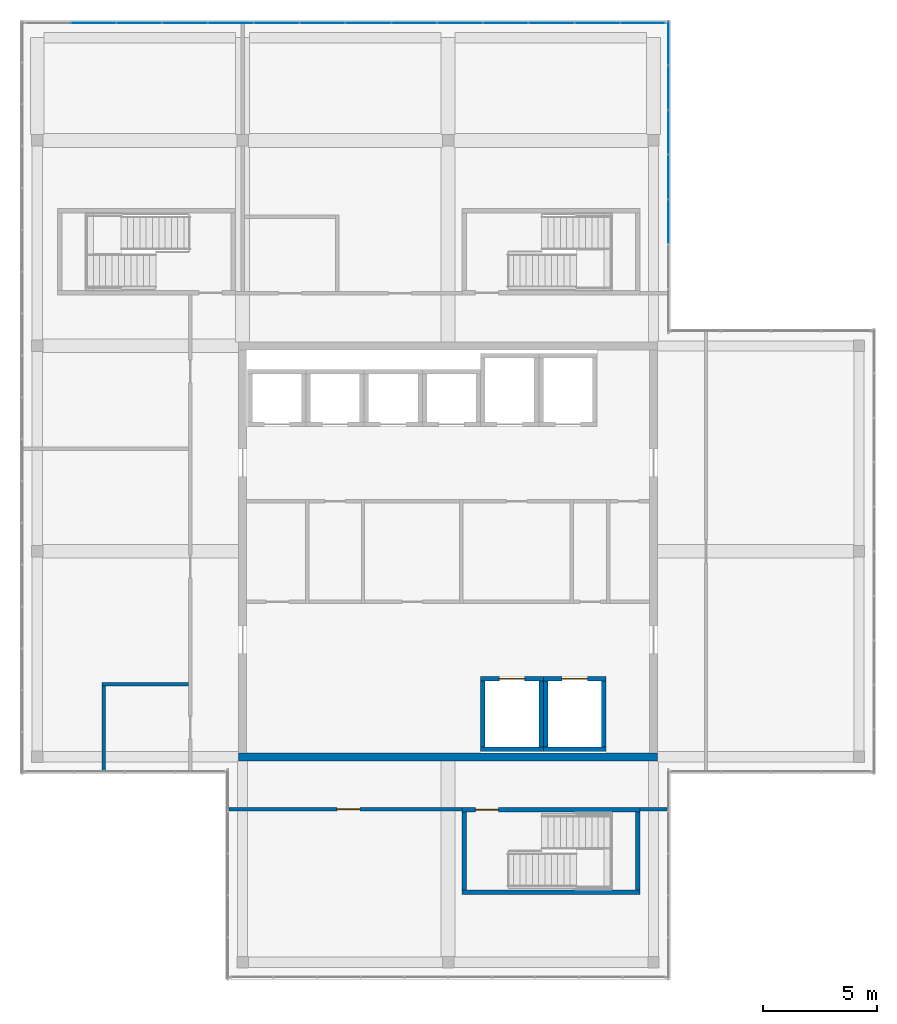
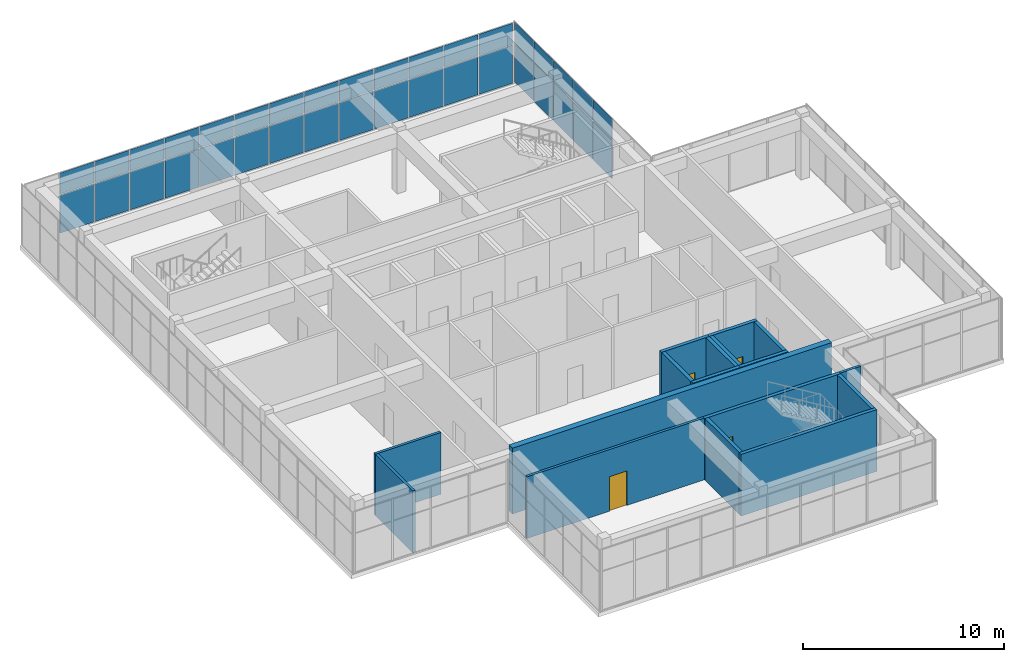
# One storey, part 30 of 34: 36 plates, 17 walls, 4 doors, 4 openings, 2 elements without a shape of their own.
"""IFC4 building model written with IfcOpenShell, lengths in metres."""

from ifc_helpers import new_model, si_unit, direction, frame, frame_2d, origin, origin_2d, place, context, subcontext, project, spatial, rectangle, extrude, material, layer, layer_set, type_object, element, fill, aggregate, save


model = new_model("IFC4")

# Units and contexts
model_context = context("Model", 3, precision=1e-05, world=origin(), true_north=direction((0.0, 1.0)))
body_context = subcontext(model_context, "Body", "Model", "MODEL_VIEW")
ifc_project = project(units=[si_unit("LENGTHUNIT", "METRE"), si_unit("AREAUNIT", "SQUARE_METRE"), si_unit("VOLUMEUNIT", "CUBIC_METRE"), si_unit("PLANEANGLEUNIT", "RADIAN"), si_unit("MASSUNIT", "GRAM", prefix="KILO")], contexts=[model_context])

# Site, building, storey
site_placement = place(None, origin())
site = spatial("IfcSite", under=ifc_project, at=site_placement, CompositionType="ELEMENT")
building_placement = place(site_placement, origin())
building = spatial("IfcBuilding", under=site, at=building_placement, Name="Tuart Plaza Theatre", CompositionType="ELEMENT")
storey_placement = place(building_placement, frame((0.0, 0.0, 57.5)))
storey = spatial("IfcBuildingStorey", under=building, at=storey_placement, Name="L14", CompositionType="ELEMENT", Elevation=57.5)

# Curtain wall, plates
ifc_material_1 = material(Name="Aluminium and glass", Category="aluminium")
ifc_layer_1 = layer(ifc_material_1, 0.10009765625)
ifc_layer_set_1 = layer_set([ifc_layer_1], Name="CURTAIN WALL 2000 module")
curtain_wall_type = type_object("IfcCurtainWallType", Name="CURTAIN WALL 2000 module", PredefinedType="NOTDEFINED", material=ifc_layer_set_1)
curtain_wall_1_placement = place(storey_placement, origin())
curtain_wall_1 = element("IfcCurtainWall", 1, at=curtain_wall_1_placement, inside=storey, type_object=curtain_wall_type, Name="CW116", PredefinedType="NOTDEFINED")
ifc_material_2 = material(Name="Glass", Category="glass")
ifc_layer_2 = layer(ifc_material_2, 0.028076171875)
ifc_layer_set_2 = layer_set([ifc_layer_2], Name="CURTAIN PANEL double glazed 28")
plate_type = type_object("IfcPlateType", Name="CURTAIN PANEL double glazed 28", PredefinedType="CURTAIN_PANEL", material=ifc_layer_set_2)
plate_1_placement = place(storey_placement, frame((141.64990234375, 88.44287109375, 0.0498046875), z_axis=(0.0, 0.0, 1.0), x_axis=(0.0, 1.0, 0.0)))
plate_1 = element("IfcPlate", 2, at=plate_1_placement, type_object=plate_type, Name="CW116 panel 3.1", PredefinedType="CURTAIN_PANEL", context=body_context, shape_type="SweptSolid", body=[
    extrude(rectangle(XDim=1.9072265625, YDim=0.028076171875, at=origin_2d()), origin(), (0.0, 0.0, 1.0), 2.324951171875),
])
plate_2_placement = place(storey_placement, frame((141.64990234375, 88.44287109375, 2.425048828125), z_axis=(0.0, 0.0, 1.0), x_axis=(0.0, 1.0, 0.0)))
plate_2 = element("IfcPlate", 3, at=plate_2_placement, type_object=plate_type, Name="CW116 panel 3.2", PredefinedType="CURTAIN_PANEL", context=body_context, shape_type="SweptSolid", body=[
    extrude(rectangle(XDim=1.9072265625, YDim=0.028076171875, at=origin_2d()), origin(), (0.0, 0.0, 1.0), 1.27490234375),
])
plate_3_placement = place(storey_placement, frame((141.64990234375, 90.39990234375, 0.0498046875), z_axis=(0.0, 0.0, 1.0), x_axis=(0.0, 1.0, 0.0)))
plate_3 = element("IfcPlate", 4, at=plate_3_placement, type_object=plate_type, Name="CW116 panel 4.1", PredefinedType="CURTAIN_PANEL", context=body_context, shape_type="SweptSolid", body=[
    extrude(rectangle(XDim=1.9072265625, YDim=0.028076171875, at=origin_2d()), origin(), (0.0, 0.0, 1.0), 2.324951171875),
])
plate_4_placement = place(storey_placement, frame((141.64990234375, 90.39990234375, 2.425048828125), z_axis=(0.0, 0.0, 1.0), x_axis=(0.0, 1.0, 0.0)))
plate_4 = element("IfcPlate", 5, at=plate_4_placement, type_object=plate_type, Name="CW116 panel 4.2", PredefinedType="CURTAIN_PANEL", context=body_context, shape_type="SweptSolid", body=[
    extrude(rectangle(XDim=1.9072265625, YDim=0.028076171875, at=origin_2d()), origin(), (0.0, 0.0, 1.0), 1.27490234375),
])
plate_5_placement = place(storey_placement, frame((141.64990234375, 92.357177734375, 0.0498046875), z_axis=(0.0, 0.0, 1.0), x_axis=(0.0, 1.0, 0.0)))
plate_5 = element("IfcPlate", 6, at=plate_5_placement, type_object=plate_type, Name="CW116 panel 5.1", PredefinedType="CURTAIN_PANEL", context=body_context, shape_type="SweptSolid", body=[
    extrude(rectangle(XDim=1.9072265625, YDim=0.028076171875, at=origin_2d()), origin(), (0.0, 0.0, 1.0), 2.324951171875),
])
plate_6_placement = place(storey_placement, frame((141.64990234375, 92.357177734375, 2.425048828125), z_axis=(0.0, 0.0, 1.0), x_axis=(0.0, 1.0, 0.0)))
plate_6 = element("IfcPlate", 7, at=plate_6_placement, type_object=plate_type, Name="CW116 panel 5.2", PredefinedType="CURTAIN_PANEL", context=body_context, shape_type="SweptSolid", body=[
    extrude(rectangle(XDim=1.9072265625, YDim=0.028076171875, at=origin_2d()), origin(), (0.0, 0.0, 1.0), 1.27490234375),
])
plate_7_placement = place(storey_placement, frame((141.64990234375, 94.314208984375, 0.0498046875), z_axis=(0.0, 0.0, 1.0), x_axis=(0.0, 1.0, 0.0)))
plate_7 = element("IfcPlate", 8, at=plate_7_placement, type_object=plate_type, Name="CW116 panel 6.1", PredefinedType="CURTAIN_PANEL", context=body_context, shape_type="SweptSolid", body=[
    extrude(rectangle(XDim=1.9072265625, YDim=0.028076171875, at=origin_2d()), origin(), (0.0, 0.0, 1.0), 2.324951171875),
])
plate_8_placement = place(storey_placement, frame((141.64990234375, 94.314208984375, 2.425048828125), z_axis=(0.0, 0.0, 1.0), x_axis=(0.0, 1.0, 0.0)))
plate_8 = element("IfcPlate", 9, at=plate_8_placement, type_object=plate_type, Name="CW116 panel 6.2", PredefinedType="CURTAIN_PANEL", context=body_context, shape_type="SweptSolid", body=[
    extrude(rectangle(XDim=1.9072265625, YDim=0.028076171875, at=origin_2d()), origin(), (0.0, 0.0, 1.0), 1.27490234375),
])
plate_9_placement = place(storey_placement, frame((141.64990234375, 96.259033203125, 0.0498046875), z_axis=(0.0, 0.0, 1.0), x_axis=(0.0, 1.0, 0.0)))
plate_9 = element("IfcPlate", 10, at=plate_9_placement, type_object=plate_type, Name="CW116 panel 7.1", PredefinedType="CURTAIN_PANEL", context=body_context, shape_type="SweptSolid", body=[
    extrude(rectangle(XDim=1.882080078125, YDim=0.028076171875, at=origin_2d()), origin(), (0.0, 0.0, 1.0), 2.324951171875),
])
plate_10_placement = place(storey_placement, frame((141.64990234375, 96.259033203125, 2.425048828125), z_axis=(0.0, 0.0, 1.0), x_axis=(0.0, 1.0, 0.0)))
plate_10 = element("IfcPlate", 11, at=plate_10_placement, type_object=plate_type, Name="CW116 panel 7.2", PredefinedType="CURTAIN_PANEL", context=body_context, shape_type="SweptSolid", body=[
    extrude(rectangle(XDim=1.882080078125, YDim=0.028076171875, at=origin_2d()), origin(), (0.0, 0.0, 1.0), 1.27490234375),
])
aggregate(curtain_wall_1, [plate_1, plate_2, plate_3, plate_4, plate_5, plate_6, plate_7, plate_8, plate_9, plate_10])

curtain_wall_2_placement = place(storey_placement, origin())
curtain_wall_2 = element("IfcCurtainWall", 12, at=curtain_wall_2_placement, inside=storey, type_object=curtain_wall_type, Name="CW117", PredefinedType="NOTDEFINED")
plate_11_placement = place(storey_placement, frame((140.533935546875, 97.14990234375, 0.0498046875), z_axis=(0.0, 0.0, 1.0), x_axis=(-1.0, 0.0, 0.0)))
plate_11 = element("IfcPlate", 13, at=plate_11_placement, type_object=plate_type, Name="CW117 panel 1.1", PredefinedType="CURTAIN_PANEL", context=body_context, shape_type="SweptSolid", body=[
    extrude(rectangle(XDim=1.93212890625, YDim=0.028076171875, at=origin_2d()), origin(), (0.0, 0.0, 1.0), 2.324951171875),
])
plate_12_placement = place(storey_placement, frame((140.533935546875, 97.14990234375, 2.425048828125), z_axis=(0.0, 0.0, 1.0), x_axis=(-1.0, 0.0, 0.0)))
plate_12 = element("IfcPlate", 14, at=plate_12_placement, type_object=plate_type, Name="CW117 panel 1.2", PredefinedType="CURTAIN_PANEL", context=body_context, shape_type="SweptSolid", body=[
    extrude(rectangle(XDim=1.93212890625, YDim=0.028076171875, at=origin_2d()), origin(), (0.0, 0.0, 1.0), 1.27490234375),
])
plate_13_placement = place(storey_placement, frame((138.539306640625, 97.14990234375, 0.0498046875), z_axis=(0.0, 0.0, 1.0), x_axis=(-1.0, 0.0, 0.0)))
plate_13 = element("IfcPlate", 15, at=plate_13_placement, type_object=plate_type, Name="CW117 panel 2.1", PredefinedType="CURTAIN_PANEL", context=body_context, shape_type="SweptSolid", body=[
    extrude(rectangle(XDim=1.95703125, YDim=0.028076171875, at=origin_2d()), origin(), (0.0, 0.0, 1.0), 2.324951171875),
])
plate_14_placement = place(storey_placement, frame((138.539306640625, 97.14990234375, 2.425048828125), z_axis=(0.0, 0.0, 1.0), x_axis=(-1.0, 0.0, 0.0)))
plate_14 = element("IfcPlate", 16, at=plate_14_placement, type_object=plate_type, Name="CW117 panel 2.2", PredefinedType="CURTAIN_PANEL", context=body_context, shape_type="SweptSolid", body=[
    extrude(rectangle(XDim=1.95703125, YDim=0.028076171875, at=origin_2d()), origin(), (0.0, 0.0, 1.0), 1.27490234375),
])
plate_15_placement = place(storey_placement, frame((136.5322265625, 97.14990234375, 0.0498046875), z_axis=(0.0, 0.0, 1.0), x_axis=(-1.0, 0.0, 0.0)))
plate_15 = element("IfcPlate", 17, at=plate_15_placement, type_object=plate_type, Name="CW117 panel 3.1", PredefinedType="CURTAIN_PANEL", context=body_context, shape_type="SweptSolid", body=[
    extrude(rectangle(XDim=1.95703125, YDim=0.028076171875, at=origin_2d()), origin(), (0.0, 0.0, 1.0), 2.324951171875),
])
plate_16_placement = place(storey_placement, frame((136.5322265625, 97.14990234375, 2.425048828125), z_axis=(0.0, 0.0, 1.0), x_axis=(-1.0, 0.0, 0.0)))
plate_16 = element("IfcPlate", 18, at=plate_16_placement, type_object=plate_type, Name="CW117 panel 3.2", PredefinedType="CURTAIN_PANEL", context=body_context, shape_type="SweptSolid", body=[
    extrude(rectangle(XDim=1.95703125, YDim=0.028076171875, at=origin_2d()), origin(), (0.0, 0.0, 1.0), 1.27490234375),
])
plate_17_placement = place(storey_placement, frame((134.52490234375, 97.14990234375, 0.0498046875), z_axis=(0.0, 0.0, 1.0), x_axis=(-1.0, 0.0, 0.0)))
plate_17 = element("IfcPlate", 19, at=plate_17_placement, type_object=plate_type, Name="CW117 panel 4.1", PredefinedType="CURTAIN_PANEL", context=body_context, shape_type="SweptSolid", body=[
    extrude(rectangle(XDim=1.95703125, YDim=0.028076171875, at=origin_2d()), origin(), (0.0, 0.0, 1.0), 2.324951171875),
])
plate_18_placement = place(storey_placement, frame((134.52490234375, 97.14990234375, 2.425048828125), z_axis=(0.0, 0.0, 1.0), x_axis=(-1.0, 0.0, 0.0)))
plate_18 = element("IfcPlate", 20, at=plate_18_placement, type_object=plate_type, Name="CW117 panel 4.2", PredefinedType="CURTAIN_PANEL", context=body_context, shape_type="SweptSolid", body=[
    extrude(rectangle(XDim=1.95703125, YDim=0.028076171875, at=origin_2d()), origin(), (0.0, 0.0, 1.0), 1.27490234375),
])
plate_19_placement = place(storey_placement, frame((132.517822265625, 97.14990234375, 0.0498046875), z_axis=(0.0, 0.0, 1.0), x_axis=(-1.0, 0.0, 0.0)))
plate_19 = element("IfcPlate", 21, at=plate_19_placement, type_object=plate_type, Name="CW117 panel 5.1", PredefinedType="CURTAIN_PANEL", context=body_context, shape_type="SweptSolid", body=[
    extrude(rectangle(XDim=1.95703125, YDim=0.028076171875, at=origin_2d()), origin(), (0.0, 0.0, 1.0), 2.324951171875),
])
plate_20_placement = place(storey_placement, frame((132.517822265625, 97.14990234375, 2.425048828125), z_axis=(0.0, 0.0, 1.0), x_axis=(-1.0, 0.0, 0.0)))
plate_20 = element("IfcPlate", 22, at=plate_20_placement, type_object=plate_type, Name="CW117 panel 5.2", PredefinedType="CURTAIN_PANEL", context=body_context, shape_type="SweptSolid", body=[
    extrude(rectangle(XDim=1.95703125, YDim=0.028076171875, at=origin_2d()), origin(), (0.0, 0.0, 1.0), 1.27490234375),
])
plate_21_placement = place(storey_placement, frame((130.5107421875, 97.14990234375, 0.0498046875), z_axis=(0.0, 0.0, 1.0), x_axis=(-1.0, 0.0, 0.0)))
plate_21 = element("IfcPlate", 23, at=plate_21_placement, type_object=plate_type, Name="CW117 panel 6.1", PredefinedType="CURTAIN_PANEL", context=body_context, shape_type="SweptSolid", body=[
    extrude(rectangle(XDim=1.95703125, YDim=0.028076171875, at=origin_2d()), origin(), (0.0, 0.0, 1.0), 2.324951171875),
])
plate_22_placement = place(storey_placement, frame((130.5107421875, 97.14990234375, 2.425048828125), z_axis=(0.0, 0.0, 1.0), x_axis=(-1.0, 0.0, 0.0)))
plate_22 = element("IfcPlate", 24, at=plate_22_placement, type_object=plate_type, Name="CW117 panel 6.2", PredefinedType="CURTAIN_PANEL", context=body_context, shape_type="SweptSolid", body=[
    extrude(rectangle(XDim=1.95703125, YDim=0.028076171875, at=origin_2d()), origin(), (0.0, 0.0, 1.0), 1.27490234375),
])
plate_23_placement = place(storey_placement, frame((128.503662109375, 97.14990234375, 0.0498046875), z_axis=(0.0, 0.0, 1.0), x_axis=(-1.0, 0.0, 0.0)))
plate_23 = element("IfcPlate", 25, at=plate_23_placement, type_object=plate_type, Name="CW117 panel 7.1", PredefinedType="CURTAIN_PANEL", context=body_context, shape_type="SweptSolid", body=[
    extrude(rectangle(XDim=1.95703125, YDim=0.028076171875, at=origin_2d()), origin(), (0.0, 0.0, 1.0), 2.324951171875),
])
plate_24_placement = place(storey_placement, frame((128.503662109375, 97.14990234375, 2.425048828125), z_axis=(0.0, 0.0, 1.0), x_axis=(-1.0, 0.0, 0.0)))
plate_24 = element("IfcPlate", 26, at=plate_24_placement, type_object=plate_type, Name="CW117 panel 7.2", PredefinedType="CURTAIN_PANEL", context=body_context, shape_type="SweptSolid", body=[
    extrude(rectangle(XDim=1.95703125, YDim=0.028076171875, at=origin_2d()), origin(), (0.0, 0.0, 1.0), 1.27490234375),
])
plate_25_placement = place(storey_placement, frame((126.496337890625, 97.14990234375, 0.0498046875), z_axis=(0.0, 0.0, 1.0), x_axis=(-1.0, 0.0, 0.0)))
plate_25 = element("IfcPlate", 27, at=plate_25_placement, type_object=plate_type, Name="CW117 panel 8.1", PredefinedType="CURTAIN_PANEL", context=body_context, shape_type="SweptSolid", body=[
    extrude(rectangle(XDim=1.95703125, YDim=0.028076171875, at=origin_2d()), origin(), (0.0, 0.0, 1.0), 2.324951171875),
])
plate_26_placement = place(storey_placement, frame((126.496337890625, 97.14990234375, 2.425048828125), z_axis=(0.0, 0.0, 1.0), x_axis=(-1.0, 0.0, 0.0)))
plate_26 = element("IfcPlate", 28, at=plate_26_placement, type_object=plate_type, Name="CW117 panel 8.2", PredefinedType="CURTAIN_PANEL", context=body_context, shape_type="SweptSolid", body=[
    extrude(rectangle(XDim=1.95703125, YDim=0.028076171875, at=origin_2d()), origin(), (0.0, 0.0, 1.0), 1.27490234375),
])
plate_27_placement = place(storey_placement, frame((124.4892578125, 97.14990234375, 0.0498046875), z_axis=(0.0, 0.0, 1.0), x_axis=(-1.0, 0.0, 0.0)))
plate_27 = element("IfcPlate", 29, at=plate_27_placement, type_object=plate_type, Name="CW117 panel 9.1", PredefinedType="CURTAIN_PANEL", context=body_context, shape_type="SweptSolid", body=[
    extrude(rectangle(XDim=1.95703125, YDim=0.028076171875, at=origin_2d()), origin(), (0.0, 0.0, 1.0), 2.324951171875),
])
plate_28_placement = place(storey_placement, frame((124.4892578125, 97.14990234375, 2.425048828125), z_axis=(0.0, 0.0, 1.0), x_axis=(-1.0, 0.0, 0.0)))
plate_28 = element("IfcPlate", 30, at=plate_28_placement, type_object=plate_type, Name="CW117 panel 9.2", PredefinedType="CURTAIN_PANEL", context=body_context, shape_type="SweptSolid", body=[
    extrude(rectangle(XDim=1.95703125, YDim=0.028076171875, at=origin_2d()), origin(), (0.0, 0.0, 1.0), 1.27490234375),
])
plate_29_placement = place(storey_placement, frame((122.482177734375, 97.14990234375, 0.0498046875), z_axis=(0.0, 0.0, 1.0), x_axis=(-1.0, 0.0, 0.0)))
plate_29 = element("IfcPlate", 31, at=plate_29_placement, type_object=plate_type, Name="CW117 panel 10.1", PredefinedType="CURTAIN_PANEL", context=body_context, shape_type="SweptSolid", body=[
    extrude(rectangle(XDim=1.95703125, YDim=0.028076171875, at=origin_2d()), origin(), (0.0, 0.0, 1.0), 2.324951171875),
])
plate_30_placement = place(storey_placement, frame((122.482177734375, 97.14990234375, 2.425048828125), z_axis=(0.0, 0.0, 1.0), x_axis=(-1.0, 0.0, 0.0)))
plate_30 = element("IfcPlate", 32, at=plate_30_placement, type_object=plate_type, Name="CW117 panel 10.2", PredefinedType="CURTAIN_PANEL", context=body_context, shape_type="SweptSolid", body=[
    extrude(rectangle(XDim=1.95703125, YDim=0.028076171875, at=origin_2d()), origin(), (0.0, 0.0, 1.0), 1.27490234375),
])
plate_31_placement = place(storey_placement, frame((120.47509765625, 97.14990234375, 0.0498046875), z_axis=(0.0, 0.0, 1.0), x_axis=(-1.0, 0.0, 0.0)))
plate_31 = element("IfcPlate", 33, at=plate_31_placement, type_object=plate_type, Name="CW117 panel 11.1", PredefinedType="CURTAIN_PANEL", context=body_context, shape_type="SweptSolid", body=[
    extrude(rectangle(XDim=1.95703125, YDim=0.028076171875, at=origin_2d()), origin(), (0.0, 0.0, 1.0), 2.324951171875),
])
plate_32_placement = place(storey_placement, frame((120.47509765625, 97.14990234375, 2.425048828125), z_axis=(0.0, 0.0, 1.0), x_axis=(-1.0, 0.0, 0.0)))
plate_32 = element("IfcPlate", 34, at=plate_32_placement, type_object=plate_type, Name="CW117 panel 11.2", PredefinedType="CURTAIN_PANEL", context=body_context, shape_type="SweptSolid", body=[
    extrude(rectangle(XDim=1.95703125, YDim=0.028076171875, at=origin_2d()), origin(), (0.0, 0.0, 1.0), 1.27490234375),
])
plate_33_placement = place(storey_placement, frame((118.4677734375, 97.14990234375, 0.0498046875), z_axis=(0.0, 0.0, 1.0), x_axis=(-1.0, 0.0, 0.0)))
plate_33 = element("IfcPlate", 35, at=plate_33_placement, type_object=plate_type, Name="CW117 panel 12.1", PredefinedType="CURTAIN_PANEL", context=body_context, shape_type="SweptSolid", body=[
    extrude(rectangle(XDim=1.95703125, YDim=0.028076171875, at=origin_2d()), origin(), (0.0, 0.0, 1.0), 2.324951171875),
])
plate_34_placement = place(storey_placement, frame((118.4677734375, 97.14990234375, 2.425048828125), z_axis=(0.0, 0.0, 1.0), x_axis=(-1.0, 0.0, 0.0)))
plate_34 = element("IfcPlate", 36, at=plate_34_placement, type_object=plate_type, Name="CW117 panel 12.2", PredefinedType="CURTAIN_PANEL", context=body_context, shape_type="SweptSolid", body=[
    extrude(rectangle(XDim=1.95703125, YDim=0.028076171875, at=origin_2d()), origin(), (0.0, 0.0, 1.0), 1.27490234375),
])
plate_35_placement = place(storey_placement, frame((116.460693359375, 97.14990234375, 0.0498046875), z_axis=(0.0, 0.0, 1.0), x_axis=(-1.0, 0.0, 0.0)))
plate_35 = element("IfcPlate", 37, at=plate_35_placement, type_object=plate_type, Name="CW117 panel 13.1", PredefinedType="CURTAIN_PANEL", context=body_context, shape_type="SweptSolid", body=[
    extrude(rectangle(XDim=1.95703125, YDim=0.028076171875, at=origin_2d()), origin(), (0.0, 0.0, 1.0), 2.324951171875),
])
plate_36_placement = place(storey_placement, frame((116.460693359375, 97.14990234375, 2.425048828125), z_axis=(0.0, 0.0, 1.0), x_axis=(-1.0, 0.0, 0.0)))
plate_36 = element("IfcPlate", 38, at=plate_36_placement, type_object=plate_type, Name="CW117 panel 13.2", PredefinedType="CURTAIN_PANEL", context=body_context, shape_type="SweptSolid", body=[
    extrude(rectangle(XDim=1.95703125, YDim=0.028076171875, at=origin_2d()), origin(), (0.0, 0.0, 1.0), 1.27490234375),
])
aggregate(curtain_wall_2, [plate_11, plate_12, plate_13, plate_14, plate_15, plate_16, plate_17, plate_18, plate_19, plate_20, plate_21, plate_22, plate_23, plate_24, plate_25, plate_26, plate_27, plate_28, plate_29, plate_30, plate_31, plate_32, plate_33, plate_34, plate_35, plate_36])

# Wall, opening, door
ifc_material_3 = material(Name="Masonry block", Category="masonry")
ifc_layer_3 = layer(ifc_material_3, 0.14990234375)
ifc_layer_set_3 = layer_set([ifc_layer_3], Name="PARTITION BLK150 MASONRYB FRL 120/-/-")
wall_type_1 = type_object("IfcWallType", Name="PARTITION BLK150 MASONRYB FRL 120/-/-", PredefinedType="PARTITIONING", material=ifc_layer_set_3)
wall_1_placement = place(storey_placement, frame((132.60009765625, 62.699951171875, 0.0), z_axis=(0.0, 0.0, 1.0), x_axis=(-1.0, 0.0, 0.0)))
wall_1 = element("IfcWall", 39, at=wall_1_placement, inside=storey, type_object=wall_type_1, Name="P709", PredefinedType="PARTITIONING", context=body_context, shape_type="SweptSolid", body=[
    extrude(rectangle(XDim=10.2001953125, YDim=0.14990234375, at=frame_2d((5.10009765625, 0.0))), origin(), (0.0, 0.0, 1.0), 3.75),
])
opening_1_placement = place(wall_1_placement, frame((4.465087890625, 0.0, 0.0)))
opening_1 = element("IfcOpeningElement", 40, at=opening_1_placement, cuts=wall_1, Name="Opening L14-024", PredefinedType="OPENING", context=body_context, shape_type="SweptSolid", body=[
    extrude(rectangle(XDim=1.0, YDim=2.10009765625, at=frame_2d((0.5, 1.050048828125))), frame((0.0, 0.0849609375, 0.0), z_axis=(0.0, -1.0, 0.0), x_axis=(1.0, 0.0, 0.0)), (0.0, 0.0, 1.0), 0.169921875),
])
ifc_material_4 = material(Name="Timber", Category="wood")
door_type_1 = type_object("IfcDoorType", Name="DOOR 1000x2100 timber single swing FRL -/60/30", OperationType="SINGLE_SWING_LEFT", PredefinedType="DOOR", material=ifc_material_4)
door_1_placement = place(opening_1_placement, origin())
door_1 = element("IfcDoor", 41, at=door_1_placement, inside=storey, type_object=door_type_1, Name="L14-024", OperationType="SINGLE_SWING_RIGHT", OverallHeight=2.10009765625, OverallWidth=1.0, PredefinedType="DOOR", context=body_context, shape_type="SweptSolid", body=[
    extrude(rectangle(XDim=1.0, YDim=2.10009765625, at=frame_2d((0.5, 1.050048828125))), frame((0.0, 0.02490234375, 0.0), z_axis=(0.0, -1.0, 0.0), x_axis=(1.0, 0.0, 0.0)), (0.0, 0.0, 1.0), 0.050048828125),
])
fill(opening_1, door_1)

# Walls
wall_2_placement = place(storey_placement, frame((141.60009765625, 62.699951171875, 0.0), z_axis=(0.0, 0.0, 1.0), x_axis=(-1.0, 0.0, 0.0)))
element("IfcWall", 42, at=wall_2_placement, inside=storey, type_object=wall_type_1, Name="P710", PredefinedType="PARTITIONING", context=body_context, shape_type="SweptSolid", body=[
    extrude(rectangle(XDim=1.2001953125, YDim=0.14990234375, at=frame_2d((0.60009765625, 0.0))), origin(), (0.0, 0.0, 1.0), 3.75),
])
wall_3_placement = place(storey_placement, frame((116.925048828125, 64.39990234375, 0.0), z_axis=(0.0, 0.0, 1.0), x_axis=(0.0, 1.0, 0.0)))
element("IfcWall", 43, at=wall_3_placement, inside=storey, type_object=wall_type_1, Name="P717", PredefinedType="PARTITIONING", context=body_context, shape_type="SweptSolid", body=[
    extrude(rectangle(XDim=3.7001953125, YDim=0.14990234375, at=frame_2d((1.85009765625, 0.0))), origin(), (0.0, 0.0, 1.0), 3.75),
])
wall_4_placement = place(storey_placement, frame((120.625, 68.175048828125, 0.0), z_axis=(0.0, 0.0, 1.0), x_axis=(-1.0, 0.0, 0.0)))
element("IfcWall", 44, at=wall_4_placement, inside=storey, type_object=wall_type_1, Name="P718", PredefinedType="PARTITIONING", context=body_context, shape_type="SweptSolid", body=[
    extrude(rectangle(XDim=3.77490234375, YDim=0.14990234375, at=frame_2d((1.887451171875, 0.0))), origin(), (0.0, 0.0, 1.0), 3.75),
])
ifc_material_5 = material(Name="Concrete N40 (40 MPa)", Category="concrete")
ifc_layer_4 = layer(ifc_material_5, 0.199951171875)
ifc_layer_set_4 = layer_set([ifc_layer_4], Name="SHEAR WALL RC200 FRL 120/120/120")
wall_type_2 = type_object("IfcWallType", Name="SHEAR WALL RC200 FRL 120/120/120", PredefinedType="SHEAR", material=ifc_layer_set_4)
wall_5_placement = place(storey_placement, frame((133.425048828125, 65.324951171875, 0.0), z_axis=(0.0, 0.0, 1.0), x_axis=(1.0, 0.0, 0.0)))
element("IfcWall", 45, at=wall_5_placement, inside=storey, type_object=wall_type_2, Name="W1070", PredefinedType="SHEAR", context=body_context, shape_type="SweptSolid", body=[
    extrude(rectangle(XDim=2.75, YDim=0.199951171875, at=frame_2d((1.375, 0.0))), origin(), (0.0, 0.0, 1.0), 4.0),
])
wall_6_placement = place(storey_placement, frame((136.074951171875, 65.425048828125, 0.0), z_axis=(0.0, 0.0, 1.0), x_axis=(0.0, 1.0, 0.0)))
element("IfcWall", 46, at=wall_6_placement, inside=storey, type_object=wall_type_2, Name="W1071", PredefinedType="SHEAR", context=body_context, shape_type="SweptSolid", body=[
    extrude(rectangle(XDim=2.89990234375, YDim=0.199951171875, at=frame_2d((1.449951171875, 0.0))), origin(), (0.0, 0.0, 1.0), 4.0),
])

# Wall, opening, door
wall_7_placement = place(storey_placement, frame((136.175048828125, 68.425048828125, 0.0), z_axis=(0.0, 0.0, 1.0), x_axis=(-1.0, 0.0, 0.0)))
wall_7 = element("IfcWall", 47, at=wall_7_placement, inside=storey, type_object=wall_type_2, Name="W1072", PredefinedType="SHEAR", context=body_context, shape_type="SweptSolid", body=[
    extrude(rectangle(XDim=2.75, YDim=0.199951171875, at=frame_2d((1.375, 0.0))), origin(), (0.0, 0.0, 1.0), 4.0),
])
opening_2_placement = place(wall_7_placement, frame((0.824951171875, 0.0, 0.0)))
opening_2 = element("IfcOpeningElement", 48, at=opening_2_placement, cuts=wall_7, Name="Opening L14-005", PredefinedType="OPENING", context=body_context, shape_type="SweptSolid", body=[
    extrude(rectangle(XDim=1.10009765625, YDim=2.10009765625, at=frame_2d((0.550048828125, 1.050048828125))), frame((0.0, 0.10986328125, 0.0), z_axis=(0.0, -1.0, 0.0), x_axis=(1.0, 0.0, 0.0)), (0.0, 0.0, 1.0), 0.219970703125),
])
ifc_material_6 = material(Name="Steel Grade 300", Category="steel")
door_type_2 = type_object("IfcDoorType", Name="LANDING DOOR 1100x2100 steel sliding FRL -/120/30", OperationType="SLIDING_TO_LEFT", PredefinedType="DOOR", material=ifc_material_6)
door_2_placement = place(opening_2_placement, origin())
door_2 = element("IfcDoor", 49, at=door_2_placement, inside=storey, type_object=door_type_2, Name="L14-005", OperationType="SLIDING_TO_LEFT", OverallHeight=2.10009765625, OverallWidth=1.10009765625, PredefinedType="DOOR", context=body_context, shape_type="SweptSolid", body=[
    extrude(rectangle(XDim=1.10009765625, YDim=2.10009765625, at=frame_2d((0.550048828125, 1.050048828125))), frame((0.0, 0.02490234375, 0.0), z_axis=(0.0, -1.0, 0.0), x_axis=(1.0, 0.0, 0.0)), (0.0, 0.0, 1.0), 0.050048828125),
])
fill(opening_2, door_2)

# Walls
wall_8_placement = place(storey_placement, frame((133.52490234375, 68.324951171875, 0.0), z_axis=(0.0, 0.0, 1.0), x_axis=(0.0, -1.0, 0.0)))
element("IfcWall", 50, at=wall_8_placement, inside=storey, type_object=wall_type_2, Name="W1073", PredefinedType="SHEAR", context=body_context, shape_type="SweptSolid", body=[
    extrude(rectangle(XDim=2.89990234375, YDim=0.199951171875, at=frame_2d((1.449951171875, 0.0))), origin(), (0.0, 0.0, 1.0), 4.0),
])
wall_9_placement = place(storey_placement, frame((136.175048828125, 65.324951171875, 0.0), z_axis=(0.0, 0.0, 1.0), x_axis=(1.0, 0.0, 0.0)))
element("IfcWall", 51, at=wall_9_placement, inside=storey, type_object=wall_type_2, Name="W1146", PredefinedType="SHEAR", context=body_context, shape_type="SweptSolid", body=[
    extrude(rectangle(XDim=2.75, YDim=0.199951171875, at=frame_2d((1.375, 0.0))), origin(), (0.0, 0.0, 1.0), 4.0),
])
wall_10_placement = place(storey_placement, frame((138.824951171875, 65.425048828125, 0.0), z_axis=(0.0, 0.0, 1.0), x_axis=(0.0, 1.0, 0.0)))
element("IfcWall", 52, at=wall_10_placement, inside=storey, type_object=wall_type_2, Name="W1147", PredefinedType="SHEAR", context=body_context, shape_type="SweptSolid", body=[
    extrude(rectangle(XDim=2.89990234375, YDim=0.199951171875, at=frame_2d((1.449951171875, 0.0))), origin(), (0.0, 0.0, 1.0), 4.0),
])

# Wall, opening, door
wall_11_placement = place(storey_placement, frame((138.925048828125, 68.425048828125, 0.0), z_axis=(0.0, 0.0, 1.0), x_axis=(-1.0, 0.0, 0.0)))
wall_11 = element("IfcWall", 53, at=wall_11_placement, inside=storey, type_object=wall_type_2, Name="W1148", PredefinedType="SHEAR", context=body_context, shape_type="SweptSolid", body=[
    extrude(rectangle(XDim=2.75, YDim=0.199951171875, at=frame_2d((1.375, 0.0))), origin(), (0.0, 0.0, 1.0), 4.0),
])
opening_3_placement = place(wall_11_placement, frame((0.824951171875, 0.0, 0.0)))
opening_3 = element("IfcOpeningElement", 54, at=opening_3_placement, cuts=wall_11, Name="Opening L14-006", PredefinedType="OPENING", context=body_context, shape_type="SweptSolid", body=[
    extrude(rectangle(XDim=1.10009765625, YDim=2.10009765625, at=frame_2d((0.550048828125, 1.050048828125))), frame((0.0, 0.10986328125, 0.0), z_axis=(0.0, -1.0, 0.0), x_axis=(1.0, 0.0, 0.0)), (0.0, 0.0, 1.0), 0.219970703125),
])
door_3_placement = place(opening_3_placement, origin())
door_3 = element("IfcDoor", 55, at=door_3_placement, inside=storey, type_object=door_type_2, Name="L14-006", OperationType="SLIDING_TO_LEFT", OverallHeight=2.10009765625, OverallWidth=1.10009765625, PredefinedType="DOOR", context=body_context, shape_type="SweptSolid", body=[
    extrude(rectangle(XDim=1.10009765625, YDim=2.10009765625, at=frame_2d((0.550048828125, 1.050048828125))), frame((0.0, 0.02490234375, 0.0), z_axis=(0.0, -1.0, 0.0), x_axis=(1.0, 0.0, 0.0)), (0.0, 0.0, 1.0), 0.050048828125),
])
fill(opening_3, door_3)

# Walls
wall_12_placement = place(storey_placement, frame((136.27490234375, 68.324951171875, 0.0), z_axis=(0.0, 0.0, 1.0), x_axis=(0.0, -1.0, 0.0)))
element("IfcWall", 56, at=wall_12_placement, inside=storey, type_object=wall_type_2, Name="W1149", PredefinedType="SHEAR", context=body_context, shape_type="SweptSolid", body=[
    extrude(rectangle(XDim=2.89990234375, YDim=0.199951171875, at=frame_2d((1.449951171875, 0.0))), origin(), (0.0, 0.0, 1.0), 4.0),
])
wall_13_placement = place(storey_placement, frame((132.60009765625, 59.074951171875, 0.0), z_axis=(0.0, 0.0, 1.0), x_axis=(1.0, 0.0, 0.0)))
element("IfcWall", 57, at=wall_13_placement, inside=storey, type_object=wall_type_2, Name="P412", PredefinedType="SHEAR", context=body_context, shape_type="SweptSolid", body=[
    extrude(rectangle(XDim=7.7998046875, YDim=0.199951171875, at=frame_2d((3.89990234375, 0.0))), origin(), (0.0, 0.0, 1.0), 3.75),
])
wall_14_placement = place(storey_placement, frame((140.300048828125, 59.175048828125, 0.0), z_axis=(0.0, 0.0, 1.0), x_axis=(0.0, 1.0, 0.0)))
element("IfcWall", 58, at=wall_14_placement, inside=storey, type_object=wall_type_2, Name="P413", PredefinedType="SHEAR", context=body_context, shape_type="SweptSolid", body=[
    extrude(rectangle(XDim=3.39990234375, YDim=0.199951171875, at=frame_2d((1.699951171875, 0.0))), origin(), (0.0, 0.0, 1.0), 3.75),
])

# Wall, opening, door
wall_15_placement = place(storey_placement, frame((140.39990234375, 62.675048828125, 0.0), z_axis=(0.0, 0.0, 1.0), x_axis=(-1.0, 0.0, 0.0)))
wall_15 = element("IfcWall", 59, at=wall_15_placement, inside=storey, type_object=wall_type_2, Name="P414", PredefinedType="SHEAR", context=body_context, shape_type="SweptSolid", body=[
    extrude(rectangle(XDim=7.7998046875, YDim=0.199951171875, at=frame_2d((3.89990234375, 0.0))), origin(), (0.0, 0.0, 1.0), 3.75),
])
opening_4_placement = place(wall_15_placement, frame((6.199951171875, 0.0, 0.0)))
opening_4 = element("IfcOpeningElement", 60, at=opening_4_placement, cuts=wall_15, Name="Opening L14-009", PredefinedType="OPENING", context=body_context, shape_type="SweptSolid", body=[
    extrude(rectangle(XDim=1.0, YDim=2.10009765625, at=frame_2d((0.5, 1.050048828125))), frame((0.0, 0.10986328125, 0.0), z_axis=(0.0, -1.0, 0.0), x_axis=(1.0, 0.0, 0.0)), (0.0, 0.0, 1.0), 0.219970703125),
])
ifc_material_7 = material(Name="Steel Grade 300", Category="steel")
door_type_3 = type_object("IfcDoorType", Name="DOOR 1000x2100 steel single swing FRL -/120/30", OperationType="SINGLE_SWING_LEFT", PredefinedType="DOOR", material=ifc_material_7)
door_4_placement = place(opening_4_placement, origin())
door_4 = element("IfcDoor", 61, at=door_4_placement, inside=storey, type_object=door_type_3, Name="L14-009", OperationType="SINGLE_SWING_LEFT", OverallHeight=2.10009765625, OverallWidth=1.0, PredefinedType="DOOR", context=body_context, shape_type="SweptSolid", body=[
    extrude(rectangle(XDim=1.0, YDim=2.10009765625, at=frame_2d((0.5, 1.050048828125))), frame((0.0, 0.02490234375, 0.0), z_axis=(0.0, -1.0, 0.0), x_axis=(1.0, 0.0, 0.0)), (0.0, 0.0, 1.0), 0.050048828125),
])
fill(opening_4, door_4)

# Walls
wall_16_placement = place(storey_placement, frame((132.699951171875, 62.574951171875, 0.0), z_axis=(0.0, 0.0, 1.0), x_axis=(0.0, -1.0, 0.0)))
element("IfcWall", 62, at=wall_16_placement, inside=storey, type_object=wall_type_2, Name="P415", PredefinedType="SHEAR", context=body_context, shape_type="SweptSolid", body=[
    extrude(rectangle(XDim=3.39990234375, YDim=0.199951171875, at=frame_2d((1.699951171875, 0.0))), origin(), (0.0, 0.0, 1.0), 3.75),
])
ifc_material_8 = material(Name="Concrete N40 (40 MPa)", Category="concrete")
ifc_layer_5 = layer(ifc_material_8, 0.35009765625)
ifc_layer_set_5 = layer_set([ifc_layer_5], Name="SHEAR WALL RC350 FRL 120/120/120")
wall_type_3 = type_object("IfcWallType", Name="SHEAR WALL RC350 FRL 120/120/120", PredefinedType="SHEAR", material=ifc_layer_set_5)
wall_17_placement = place(storey_placement, frame((122.824951171875, 65.0, 0.0), z_axis=(0.0, 0.0, 1.0), x_axis=(1.0, 0.0, 0.0)))
element("IfcWall", 63, at=wall_17_placement, inside=storey, type_object=wall_type_3, Name="W427", PredefinedType="SHEAR", context=body_context, shape_type="SweptSolid", body=[
    extrude(rectangle(XDim=18.35009765625, YDim=0.35009765625, at=frame_2d((9.175048828125, 0.0))), origin(), (0.0, 0.0, 1.0), 4.0),
])

save(model, "model.ifc")
